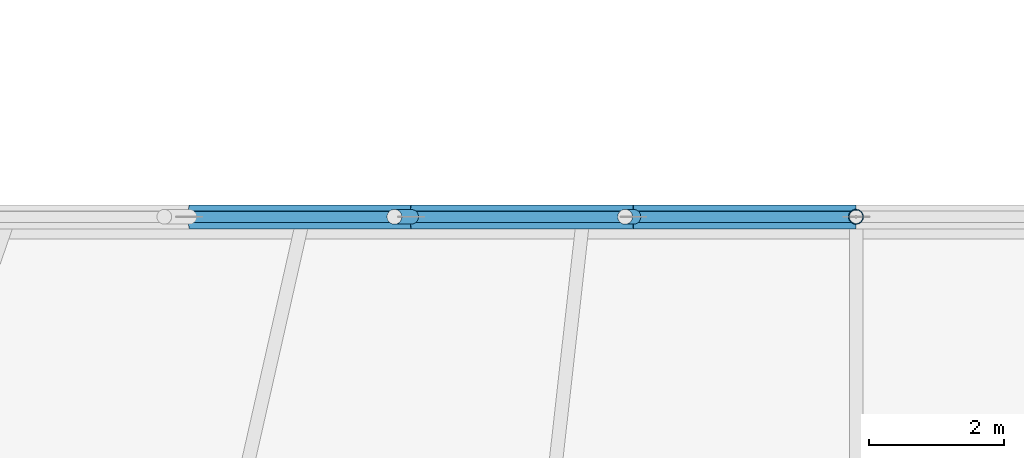
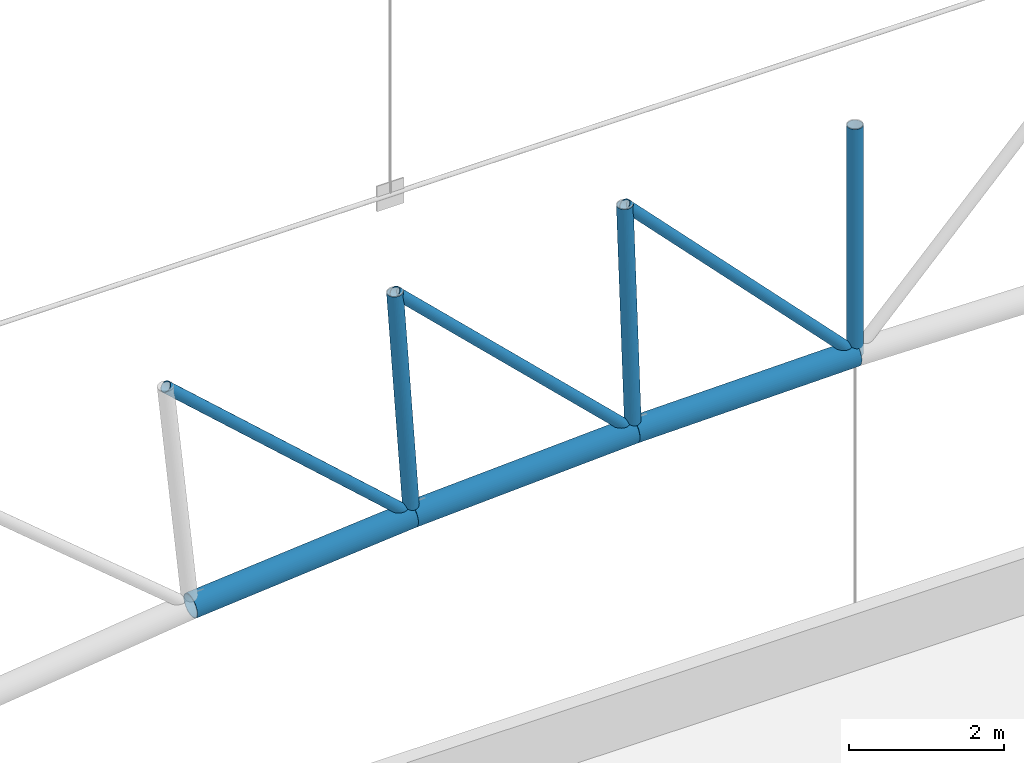
# One storey, part 21 of 321: 9 members.
"""IFC4 building model written with IfcOpenShell, lengths in metres."""

from ifc_helpers import new_model, si_unit, direction, frame, origin, origin_2d, place, context, subcontext, project, spatial, hollow_circle, extrude, material, material_profile, profile_set, type_object, element, save


model = new_model("IFC4")

# Units and contexts
model_context = context("Model", 3, precision=1e-05, world=origin(), true_north=direction((0.0, 1.0)))
body_context = subcontext(model_context, "Body", "Model", "MODEL_VIEW")
ifc_project = project(units=[si_unit("LENGTHUNIT", "METRE"), si_unit("AREAUNIT", "SQUARE_METRE"), si_unit("VOLUMEUNIT", "CUBIC_METRE"), si_unit("PLANEANGLEUNIT", "RADIAN"), si_unit("MASSUNIT", "GRAM", prefix="KILO")], contexts=[model_context])

# Site, building, storey
site_placement = place(None, origin())
site = spatial("IfcSite", under=ifc_project, at=site_placement, CompositionType="ELEMENT")
building_placement = place(site_placement, origin())
building = spatial("IfcBuilding", under=site, at=building_placement, Name="Ravi Spectrum Wholesale Market", CompositionType="ELEMENT")
storey_placement = place(building_placement, frame((0.0, 0.0, 10.800048828125)))
storey = spatial("IfcBuildingStorey", under=building, at=storey_placement, Name="L02", CompositionType="ELEMENT", Elevation=10.800048828125)

# Members
ifc_material_1 = material(Name="Steel S355", Category="steel")
ifc_material_profile_1 = material_profile(ifc_material_1, hollow_circle(Radius=0.084228515625, WallThickness=0.00634765625, at=origin_2d()))
ifc_profile_set_1 = profile_set([ifc_material_profile_1], Name="Steel S355")
member_type_1 = type_object("IfcMemberType", Name="CHS 168.3x6.3 brace", PredefinedType="BRACE", material=ifc_profile_set_1)
member_1_placement = place(storey_placement, frame((59.726806640625, 30.0, 7.867919921875), z_axis=(0.743626505142, 0.0, -0.668595259369), x_axis=(0.0, 1.0, 0.0)))
element("IfcMember", 1, at=member_1_placement, inside=storey, type_object=member_type_1, Name="H1-MB-L02-080", PredefinedType="BRACE", context=body_context, shape_type="SweptSolid", body=[
    extrude(hollow_circle(Radius=0.084228515625, WallThickness=0.00634765625, at=origin_2d()), origin(), (0.0, 0.0, 1.0), 4.9296875),
])
for number, where, z_axis, x_axis, name in (
    (2, (63.14453125, 30.0, 8.163330078125), (0.7201093859, 0.0, -0.69386055684), (0.0, 1.0, 0.0), "H1-MB-L02-081"),
    (3, (66.5703125, 30.0, 8.3408203125), (0.695749704847, 0.0, -0.718284308756), (0.0, 1.0, 0.0), "H1-MB-L02-082"),
):
    element("IfcMember", number, at=place(storey_placement, frame(where, z_axis=z_axis, x_axis=x_axis)), inside=storey, type_object=member_type_1, Name=name, PredefinedType="BRACE", context=body_context, shape_type="SweptSolid", body=[
        extrude(hollow_circle(Radius=0.084228515625, WallThickness=0.00634765625, at=origin_2d()), origin(), (0.0, 0.0, 1.0), 4.929443359375),
    ])
ifc_material_2 = material(Name="Steel S355", Category="steel")
ifc_material_profile_2 = material_profile(ifc_material_2, hollow_circle(Radius=0.109619140625, WallThickness=0.008056640625, at=origin_2d()))
ifc_profile_set_2 = profile_set([ifc_material_profile_2], Name="Steel S355")
member_type_2 = type_object("IfcMemberType", Name="CHS 219.1x8 post", PredefinedType="POST", material=ifc_profile_set_2)
member_2_placement = place(storey_placement, frame((63.14453125, 30.0, 8.163330078125), z_axis=(0.068904502548, 0.0, -0.997623260319), x_axis=(0.0, 1.0, 0.0)))
element("IfcMember", 4, at=member_2_placement, inside=storey, type_object=member_type_2, Name="H1-MB-L02-058", PredefinedType="POST", context=body_context, shape_type="SweptSolid", body=[
    extrude(hollow_circle(Radius=0.109619140625, WallThickness=0.008056640625, at=origin_2d()), origin(), (0.0, 0.0, 1.0), 3.599853515625),
])
member_3_placement = place(storey_placement, frame((66.5703125, 30.0, 8.3408203125), z_axis=(0.034450597287, 0.0, -0.999406401994), x_axis=(0.0, 1.0, 0.0)))
element("IfcMember", 5, at=member_3_placement, inside=storey, type_object=member_type_2, Name="H1-MB-L02-059", PredefinedType="POST", context=body_context, shape_type="SweptSolid", body=[
    extrude(hollow_circle(Radius=0.109619140625, WallThickness=0.008056640625, at=origin_2d()), origin(), (0.0, 0.0, 1.0), 3.60009765625),
])
member_4_placement = place(storey_placement, frame((70.0, 30.0, 8.39990234375), z_axis=(0.0, 0.0, -1.0), x_axis=(1.0, 0.0, 0.0)))
element("IfcMember", 6, at=member_4_placement, inside=storey, type_object=member_type_2, Name="H1-MB-L02-060", PredefinedType="POST", context=body_context, shape_type="SweptSolid", body=[
    extrude(hollow_circle(Radius=0.109619140625, WallThickness=0.008056640625, at=origin_2d()), origin(), (0.0, 0.0, 1.0), 3.599853515625),
])
ifc_material_3 = material(Name="Steel S355", Category="steel")
ifc_material_profile_3 = material_profile(ifc_material_3, hollow_circle(Radius=0.177734375, WallThickness=0.012451171875, at=origin_2d()))
ifc_profile_set_3 = profile_set([ifc_material_profile_3], Name="Steel S355")
member_type_3 = type_object("IfcMemberType", Name="CHS 355.6x12.5 chord", PredefinedType="CHORD", material=ifc_profile_set_3)
member_5_placement = place(storey_placement, frame((60.098876953125, 30.0, 4.287109375), z_axis=(0.99627955827, 0.0, 0.08618028645), x_axis=(0.0, 1.0, 0.0)))
element("IfcMember", 7, at=member_5_placement, inside=storey, type_object=member_type_3, Name="H1-MB-L02-034", PredefinedType="CHORD", context=body_context, shape_type="SweptSolid", body=[
    extrude(hollow_circle(Radius=0.177734375, WallThickness=0.012451171875, at=origin_2d()), origin(), (0.0, 0.0, 1.0), 3.305908203125),
])
for number, where, z_axis, x_axis, name in (
    (8, (63.392578125, 30.0, 4.572021484375), (0.99866314533, 0.0, 0.051690638992), (0.0, 1.0, 0.0), "H1-MB-L02-035"),
    (9, (66.6943359375, 30.0, 4.742919921875), (0.999850697486, 0.0, 0.017279546766), (0.0, 1.0, 0.0), "H1-MB-L02-036"),
):
    element("IfcMember", number, at=place(storey_placement, frame(where, z_axis=z_axis, x_axis=x_axis)), inside=storey, type_object=member_type_3, Name=name, PredefinedType="CHORD", context=body_context, shape_type="SweptSolid", body=[
        extrude(hollow_circle(Radius=0.177734375, WallThickness=0.012451171875, at=origin_2d()), origin(), (0.0, 0.0, 1.0), 3.30615234375),
    ])

save(model, "model.ifc")
